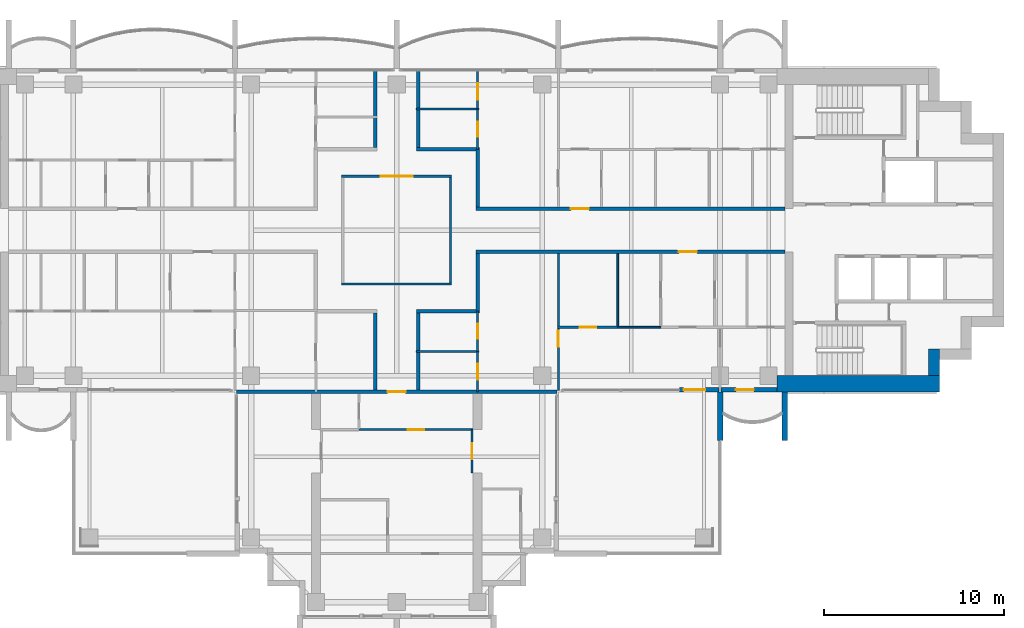
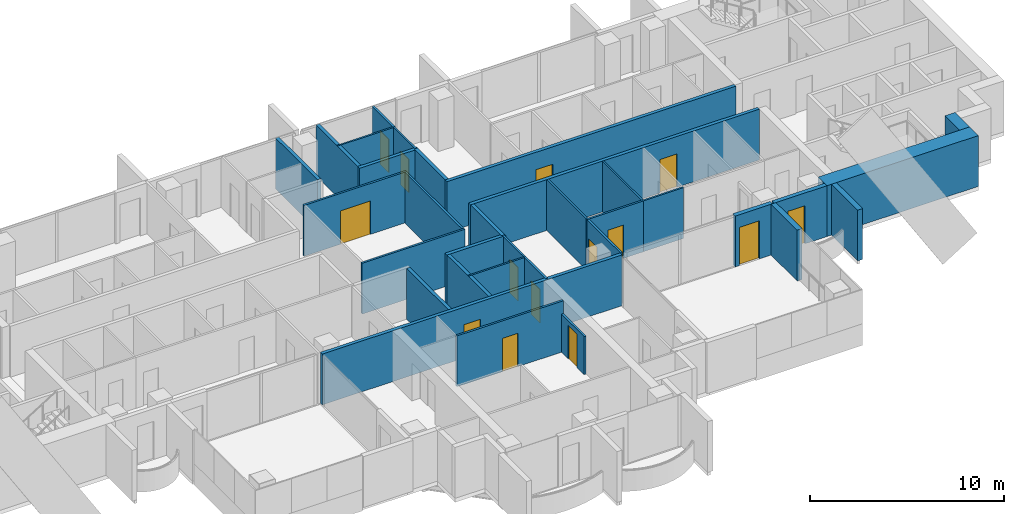
# One storey, part 11 of 18: 32 walls, 14 doors, 14 openings.
"""IFC4 building model written with IfcOpenShell, lengths in metres."""

from ifc_helpers import new_model, si_unit, direction, frame, frame_2d, origin, place, context, subcontext, project, spatial, rectangle, extrude, material, layer, layer_set, type_object, element, fill, save


model = new_model("IFC4")

# Units and contexts
model_context = context("Model", 3, precision=1e-05, world=origin(), true_north=direction((0.0, 1.0)))
body_context = subcontext(model_context, "Body", "Model", "MODEL_VIEW")
ifc_project = project(units=[si_unit("LENGTHUNIT", "METRE"), si_unit("AREAUNIT", "SQUARE_METRE"), si_unit("VOLUMEUNIT", "CUBIC_METRE"), si_unit("PLANEANGLEUNIT", "RADIAN"), si_unit("MASSUNIT", "GRAM", prefix="KILO")], contexts=[model_context])

# Site, building, storey
site_placement = place(None, origin())
site = spatial("IfcSite", under=ifc_project, at=site_placement, CompositionType="ELEMENT")
building_placement = place(site_placement, origin())
building = spatial("IfcBuilding", under=site, at=building_placement, Name="Perihelion Cross Residences", CompositionType="ELEMENT")
storey_placement = place(building_placement, frame((0.0, 0.0, 219.10009765625)))
storey = spatial("IfcBuildingStorey", under=building, at=storey_placement, Name="L55", CompositionType="ELEMENT", Elevation=219.10009765625)

# Wall, opening, door
ifc_material_1 = material(Name="Plasterboard partition")
ifc_layer_1 = layer(ifc_material_1, 0.199951171875)
ifc_layer_set_1 = layer_set([ifc_layer_1], Name="Apartment separation wall 200")
wall_type_1 = type_object("IfcWallType", Name="Apartment separation wall 200", PredefinedType="PARTITIONING", material=ifc_layer_set_1)
wall_1_placement = place(storey_placement, frame((4.39990234375, 1.199951171875, 0.0), z_axis=(0.0, 0.0, 1.0), x_axis=(1.0, 0.0, 0.0)))
wall_1 = element("IfcWall", 1, at=wall_1_placement, inside=storey, type_object=wall_type_1, Name="Partition L55 W005", PredefinedType="PARTITIONING", context=body_context, shape_type="SweptSolid", body=[
    extrude(rectangle(XDim=17.2001953125, YDim=0.199951171875, at=frame_2d((8.60009765625, 0.0))), origin(), (0.0, 0.0, 1.0), 3.199951171875),
])
opening_1_placement = place(wall_1_placement, frame((5.300048828125, 0.0, 0.0)))
opening_1 = element("IfcOpeningElement", 2, at=opening_1_placement, cuts=wall_1, Name="Opening L55.A41", PredefinedType="OPENING", context=body_context, shape_type="SweptSolid", body=[
    extrude(rectangle(XDim=1.0, YDim=2.10009765625, at=frame_2d((0.5, 1.050048828125))), frame((0.0, 0.10986328125, 0.0), z_axis=(0.0, -1.0, 0.0), x_axis=(1.0, 0.0, 0.0)), (0.0, 0.0, 1.0), 0.219970703125),
])
ifc_material_2 = material(Name="Timber door leaf", Category="wood")
door_type_1 = type_object("IfcDoorType", Name="Flat entrance door 1000 x 2100", OperationType="SINGLE_SWING_LEFT", PredefinedType="DOOR", material=ifc_material_2)
door_1_placement = place(opening_1_placement, origin())
door_1 = element("IfcDoor", 3, at=door_1_placement, inside=storey, type_object=door_type_1, Name="Door L55.A41", OperationType="SINGLE_SWING_RIGHT", OverallHeight=2.10009765625, OverallWidth=1.0, PredefinedType="DOOR", context=body_context, shape_type="SweptSolid", body=[
    extrude(rectangle(XDim=1.0, YDim=2.10009765625, at=frame_2d((0.5, 1.050048828125))), frame((0.0, 0.02490234375, 0.0), z_axis=(0.0, -1.0, 0.0), x_axis=(1.0, 0.0, 0.0)), (0.0, 0.0, 1.0), 0.050048828125),
])
fill(opening_1, door_1)

# Walls
wall_2_placement = place(storey_placement, frame((4.5, 4.5, 0.0), z_axis=(0.0, 0.0, 1.0), x_axis=(0.0, -1.0, 0.0)))
element("IfcWall", 4, at=wall_2_placement, inside=storey, type_object=wall_type_1, Name="Partition L55 W006", PredefinedType="PARTITIONING", context=body_context, shape_type="SweptSolid", body=[
    extrude(rectangle(XDim=3.199951171875, YDim=0.199951171875, at=frame_2d((1.60009765625, 0.0))), origin(), (0.0, 0.0, 1.0), 3.199951171875),
])
wall_3_placement = place(storey_placement, frame((1.199951171875, 8.919921875, 0.0), z_axis=(0.0, 0.0, 1.0), x_axis=(0.0, -1.0, 0.0)))
element("IfcWall", 5, at=wall_3_placement, inside=storey, type_object=wall_type_1, Name="Partition L55 W007", PredefinedType="PARTITIONING", context=body_context, shape_type="SweptSolid", body=[
    extrude(rectangle(XDim=4.31982421875, YDim=0.199951171875, at=frame_2d((2.159912109375, 0.0))), origin(), (0.0, 0.0, 1.0), 3.199951171875),
])
wall_4_placement = place(storey_placement, frame((1.10009765625, 4.5, 0.0), z_axis=(0.0, 0.0, 1.0), x_axis=(1.0, 0.0, 0.0)))
element("IfcWall", 6, at=wall_4_placement, inside=storey, type_object=wall_type_1, Name="Partition L55 W008", PredefinedType="PARTITIONING", context=body_context, shape_type="SweptSolid", body=[
    extrude(rectangle(XDim=3.5, YDim=0.199951171875, at=frame_2d((1.75, 0.0))), origin(), (0.0, 0.0, 1.0), 3.199951171875),
])

# Wall, opening, door
wall_5_placement = place(storey_placement, frame((21.60009765625, -1.199951171875, 0.0), z_axis=(0.0, 0.0, 1.0), x_axis=(-1.0, 0.0, 0.0)))
wall_5 = element("IfcWall", 7, at=wall_5_placement, inside=storey, type_object=wall_type_1, Name="Partition L55 W009", PredefinedType="PARTITIONING", context=body_context, shape_type="SweptSolid", body=[
    extrude(rectangle(XDim=17.2001953125, YDim=0.199951171875, at=frame_2d((8.60009765625, 0.0))), origin(), (0.0, 0.0, 1.0), 3.199951171875),
])
opening_2_placement = place(wall_5_placement, frame((4.89990234375, 0.0, 0.0)))
opening_2 = element("IfcOpeningElement", 8, at=opening_2_placement, cuts=wall_5, Name="Opening L55.A42", PredefinedType="OPENING", context=body_context, shape_type="SweptSolid", body=[
    extrude(rectangle(XDim=1.0, YDim=2.10009765625, at=frame_2d((0.5, 1.050048828125))), frame((0.0, 0.10986328125, 0.0), z_axis=(0.0, -1.0, 0.0), x_axis=(1.0, 0.0, 0.0)), (0.0, 0.0, 1.0), 0.219970703125),
])
door_2_placement = place(opening_2_placement, origin())
door_2 = element("IfcDoor", 9, at=door_2_placement, inside=storey, type_object=door_type_1, Name="Door L55.A42", OperationType="SINGLE_SWING_RIGHT", OverallHeight=2.10009765625, OverallWidth=1.0, PredefinedType="DOOR", context=body_context, shape_type="SweptSolid", body=[
    extrude(rectangle(XDim=1.0, YDim=2.10009765625, at=frame_2d((0.5, 1.050048828125))), frame((0.0, 0.02490234375, 0.0), z_axis=(0.0, -1.0, 0.0), x_axis=(1.0, 0.0, 0.0)), (0.0, 0.0, 1.0), 0.050048828125),
])
fill(opening_2, door_2)

# Walls
wall_6_placement = place(storey_placement, frame((4.5, -1.300048828125, 0.0), z_axis=(0.0, 0.0, 1.0), x_axis=(0.0, -1.0, 0.0)))
element("IfcWall", 10, at=wall_6_placement, inside=storey, type_object=wall_type_1, Name="Partition L55 W010", PredefinedType="PARTITIONING", context=body_context, shape_type="SweptSolid", body=[
    extrude(rectangle(XDim=3.199951171875, YDim=0.199951171875, at=frame_2d((1.60009765625, 0.0))), origin(), (0.0, 0.0, 1.0), 3.199951171875),
])
wall_7_placement = place(storey_placement, frame((4.60009765625, -4.5, 0.0), z_axis=(0.0, 0.0, 1.0), x_axis=(-1.0, 0.0, 0.0)))
element("IfcWall", 11, at=wall_7_placement, inside=storey, type_object=wall_type_1, Name="Partition L55 W011", PredefinedType="PARTITIONING", context=body_context, shape_type="SweptSolid", body=[
    extrude(rectangle(XDim=3.5, YDim=0.199951171875, at=frame_2d((1.75, 0.0))), origin(), (0.0, 0.0, 1.0), 3.199951171875),
])
wall_8_placement = place(storey_placement, frame((1.199951171875, -4.60009765625, 0.0), z_axis=(0.0, 0.0, 1.0), x_axis=(0.0, -1.0, 0.0)))
element("IfcWall", 12, at=wall_8_placement, inside=storey, type_object=wall_type_1, Name="Partition L55 W012", PredefinedType="PARTITIONING", context=body_context, shape_type="SweptSolid", body=[
    extrude(rectangle(XDim=4.2998046875, YDim=0.199951171875, at=frame_2d((2.14990234375, 0.0))), origin(), (0.0, 0.0, 1.0), 3.199951171875),
])
wall_9_placement = place(storey_placement, frame((-1.199951171875, 4.60009765625, 0.0), z_axis=(0.0, 0.0, 1.0), x_axis=(0.0, 1.0, 0.0)))
element("IfcWall", 13, at=wall_9_placement, inside=storey, type_object=wall_type_1, Name="Partition L55 W016", PredefinedType="PARTITIONING", context=body_context, shape_type="SweptSolid", body=[
    extrude(rectangle(XDim=4.31982421875, YDim=0.199951171875, at=frame_2d((2.159912109375, 0.0))), origin(), (0.0, 0.0, 1.0), 3.199951171875),
])
wall_10_placement = place(storey_placement, frame((-1.199951171875, -8.89990234375, 0.0), z_axis=(0.0, 0.0, 1.0), x_axis=(0.0, 1.0, 0.0)))
element("IfcWall", 14, at=wall_10_placement, inside=storey, type_object=wall_type_1, Name="Partition L55 W019", PredefinedType="PARTITIONING", context=body_context, shape_type="SweptSolid", body=[
    extrude(rectangle(XDim=4.2998046875, YDim=0.199951171875, at=frame_2d((2.14990234375, 0.0))), origin(), (0.0, 0.0, 1.0), 3.199951171875),
])

# Wall, opening, door
wall_11_placement = place(storey_placement, frame((8.919921875, -9.0, 0.0), z_axis=(0.0, 0.0, 1.0), x_axis=(-1.0, 0.0, 0.0)))
wall_11 = element("IfcWall", 15, at=wall_11_placement, inside=storey, type_object=wall_type_1, Name="Partition L55 W021", PredefinedType="PARTITIONING", context=body_context, shape_type="SweptSolid", body=[
    extrude(rectangle(XDim=17.83984375, YDim=0.199951171875, at=frame_2d((8.919921875, 0.0))), origin(), (0.0, 0.0, 1.0), 3.199951171875),
])
opening_3_placement = place(wall_11_placement, frame((8.419921875, 0.0, 0.0)))
opening_3 = element("IfcOpeningElement", 16, at=opening_3_placement, cuts=wall_11, Name="Opening L55.A35", PredefinedType="OPENING", context=body_context, shape_type="SweptSolid", body=[
    extrude(rectangle(XDim=1.0, YDim=2.10009765625, at=frame_2d((0.5, 1.050048828125))), frame((0.0, 0.10986328125, 0.0), z_axis=(0.0, -1.0, 0.0), x_axis=(1.0, 0.0, 0.0)), (0.0, 0.0, 1.0), 0.219970703125),
])
door_3_placement = place(opening_3_placement, origin())
door_3 = element("IfcDoor", 17, at=door_3_placement, inside=storey, type_object=door_type_1, Name="Door L55.A35", OperationType="SINGLE_SWING_LEFT", OverallHeight=2.10009765625, OverallWidth=1.0, PredefinedType="DOOR", context=body_context, shape_type="SweptSolid", body=[
    extrude(rectangle(XDim=1.0, YDim=2.10009765625, at=frame_2d((0.5, 1.050048828125))), frame((0.0, 0.02490234375, 0.0), z_axis=(0.0, -1.0, 0.0), x_axis=(1.0, 0.0, 0.0)), (0.0, 0.0, 1.0), 0.050048828125),
])
fill(opening_3, door_3)

ifc_material_3 = material(Name="Concrete C30/37, bronze-clad", Category="concrete")
ifc_layer_2 = layer(ifc_material_3, 0.25)
ifc_layer_set_2 = layer_set([ifc_layer_2], Name="Bronze-clad pier wall 250")
wall_type_2 = type_object("IfcWallType", Name="Bronze-clad pier wall 250", PredefinedType="SOLIDWALL", material=ifc_layer_set_2)
wall_12_placement = place(storey_placement, frame((15.72509765625, -8.875, 0.0), z_axis=(0.0, 0.0, 1.0), x_axis=(1.0, 0.0, 0.0)))
wall_12 = element("IfcWall", 18, at=wall_12_placement, inside=storey, type_object=wall_type_2, Name="Wall FW1 L55 east side south bay 1 pier", PredefinedType="SOLIDWALL", context=body_context, shape_type="SweptSolid", body=[
    extrude(rectangle(XDim=2.21484375, YDim=0.25, at=frame_2d((1.107421875, 0.0))), origin(), (0.0, 0.0, 1.0), 3.199951171875),
])
opening_4_placement = place(wall_12_placement, frame((0.25, 0.0, 0.0)))
opening_4 = element("IfcOpeningElement", 19, at=opening_4_placement, cuts=wall_12, Name="Opening L55.E13", PredefinedType="OPENING", context=body_context, shape_type="SweptSolid", body=[
    extrude(rectangle(XDim=1.199951171875, YDim=2.39990234375, at=frame_2d((0.60009765625, 1.199951171875))), frame((0.0, 0.135009765625, 0.0), z_axis=(0.0, -1.0, 0.0), x_axis=(1.0, 0.0, 0.0)), (0.0, 0.0, 1.0), 0.27001953125),
])
ifc_material_4 = material(Name="Bronze anodised aluminium, glazed", Category="aluminium")
door_type_2 = type_object("IfcDoorType", Name="Balcony door 1200 x 2400", OperationType="NOTDEFINED", PredefinedType="DOOR", material=ifc_material_4)
door_4_placement = place(opening_4_placement, origin())
door_4 = element("IfcDoor", 20, at=door_4_placement, inside=storey, type_object=door_type_2, Name="Door L55.E13 east side south bay 1", OperationType="SINGLE_SWING_LEFT", OverallHeight=2.39990234375, OverallWidth=1.199951171875, PredefinedType="DOOR", context=body_context, shape_type="SweptSolid", body=[
    extrude(rectangle(XDim=1.199951171875, YDim=2.39990234375, at=frame_2d((0.60009765625, 1.199951171875))), frame((0.0, 0.02490234375, 0.0), z_axis=(0.0, -1.0, 0.0), x_axis=(1.0, 0.0, 0.0)), (0.0, 0.0, 1.0), 0.050048828125),
])
fill(opening_4, door_4)

wall_13_placement = place(storey_placement, frame((18.06005859375, -8.875, 0.0), z_axis=(0.0, 0.0, 1.0), x_axis=(1.0, 0.0, 0.0)))
wall_13 = element("IfcWall", 21, at=wall_13_placement, inside=storey, type_object=wall_type_2, Name="Wall FW1 L55 east side south bay 2 pier", PredefinedType="SOLIDWALL", context=body_context, shape_type="SweptSolid", body=[
    extrude(rectangle(XDim=3.114990234375, YDim=0.25, at=frame_2d((1.5576171875, 0.0))), origin(), (0.0, 0.0, 1.0), 3.199951171875),
])
opening_5_placement = place(wall_13_placement, frame((0.81494140625, 0.0, 0.0)))
opening_5 = element("IfcOpeningElement", 22, at=opening_5_placement, cuts=wall_13, Name="Opening L55.E14", PredefinedType="OPENING", context=body_context, shape_type="SweptSolid", body=[
    extrude(rectangle(XDim=1.0, YDim=2.39990234375, at=frame_2d((0.5, 1.199951171875))), frame((0.0, 0.135009765625, 0.0), z_axis=(0.0, -1.0, 0.0), x_axis=(1.0, 0.0, 0.0)), (0.0, 0.0, 1.0), 0.27001953125),
])
ifc_material_5 = material(Name="Bronze anodised aluminium, glazed", Category="aluminium")
door_type_3 = type_object("IfcDoorType", Name="Balcony door 1000 x 2400", OperationType="NOTDEFINED", PredefinedType="DOOR", material=ifc_material_5)
door_5_placement = place(opening_5_placement, origin())
door_5 = element("IfcDoor", 23, at=door_5_placement, inside=storey, type_object=door_type_3, Name="Door L55.E14 east side south bay 2", OperationType="SINGLE_SWING_RIGHT", OverallHeight=2.39990234375, OverallWidth=1.0, PredefinedType="DOOR", context=body_context, shape_type="SweptSolid", body=[
    extrude(rectangle(XDim=1.0, YDim=2.39990234375, at=frame_2d((0.5, 1.199951171875))), frame((0.0, 0.02490234375, 0.0), z_axis=(0.0, -1.0, 0.0), x_axis=(1.0, 0.0, 0.0)), (0.0, 0.0, 1.0), 0.050048828125),
])
fill(opening_5, door_5)

# Walls
ifc_material_6 = material(Name="Concrete C60/75", Category="concrete")
ifc_layer_3 = layer(ifc_material_6, 0.60009765625)
ifc_layer_set_3 = layer_set([ifc_layer_3], Name="Core wall, outer 600")
wall_type_3 = type_object("IfcWallType", Name="Core wall, outer 600", PredefinedType="SHEAR", material=ifc_layer_set_3)
wall_14_placement = place(storey_placement, frame((29.89990234375, -8.10009765625, 0.0), z_axis=(0.0, 0.0, 1.0), x_axis=(0.0, 1.0, 0.0)))
element("IfcWall", 24, at=wall_14_placement, inside=storey, type_object=wall_type_3, Name="East core core wall, outer", PredefinedType="SHEAR", context=body_context, shape_type="SweptSolid", body=[
    extrude(rectangle(XDim=1.5, YDim=0.60009765625, at=frame_2d((0.75, 0.0))), origin(), (0.0, 0.0, 1.0), 3.199951171875),
])
ifc_material_7 = material(Name="Concrete C60/75", Category="concrete")
ifc_layer_4 = layer(ifc_material_7, 0.89990234375)
ifc_layer_set_4 = layer_set([ifc_layer_4], Name="Core wall, outer 900")
wall_type_4 = type_object("IfcWallType", Name="Core wall, outer 900", PredefinedType="SHEAR", material=ifc_layer_set_4)
wall_15_placement = place(storey_placement, frame((21.175048828125, -8.550048828125, 0.0), z_axis=(0.0, 0.0, 1.0), x_axis=(1.0, 0.0, 0.0)))
element("IfcWall", 25, at=wall_15_placement, inside=storey, type_object=wall_type_4, Name="East core core wall, outer", PredefinedType="SHEAR", context=body_context, shape_type="SweptSolid", body=[
    extrude(rectangle(XDim=9.02490234375, YDim=0.89990234375, at=frame_2d((4.512451171875, 0.0))), origin(), (0.0, 0.0, 1.0), 3.199951171875),
])

# Wall, opening, door
ifc_material_8 = material(Name="Plasterboard partition")
ifc_layer_5 = layer(ifc_material_8, 0.1201171875)
ifc_layer_set_5 = layer_set([ifc_layer_5], Name="Infill panel 120")
wall_type_5 = type_object("IfcWallType", Name="Infill panel 120", PredefinedType="PARTITIONING", material=ifc_layer_set_5)
wall_16_placement = place(storey_placement, frame((4.18994140625, -11.10009765625, 0.0), z_axis=(0.0, 0.0, 1.0), x_axis=(0.0, -1.0, 0.0)))
wall_16 = element("IfcWall", 26, at=wall_16_placement, inside=storey, type_object=wall_type_5, Name="Partition L55 WI01", PredefinedType="PARTITIONING", context=body_context, shape_type="SweptSolid", body=[
    extrude(rectangle(XDim=2.39990234375, YDim=0.1201171875, at=frame_2d((1.199951171875, 0.0))), origin(), (0.0, 0.0, 1.0), 2.39990234375),
])
opening_6_placement = place(wall_16_placement, frame((0.75, 0.0, 0.0)))
opening_6 = element("IfcOpeningElement", 27, at=opening_6_placement, cuts=wall_16, Name="Opening L55.A45", PredefinedType="OPENING", context=body_context, shape_type="SweptSolid", body=[
    extrude(rectangle(XDim=0.89990234375, YDim=2.10009765625, at=frame_2d((0.449951171875, 1.050048828125))), frame((0.0, 0.070068359375, 0.0), z_axis=(0.0, -1.0, 0.0), x_axis=(1.0, 0.0, 0.0)), (0.0, 0.0, 1.0), 0.14013671875),
])
ifc_material_9 = material(Name="Timber door leaf", Category="wood")
door_type_4 = type_object("IfcDoorType", Name="Interior room door 900 x 2100", OperationType="SINGLE_SWING_LEFT", PredefinedType="DOOR", material=ifc_material_9)
door_6_placement = place(opening_6_placement, origin())
door_6 = element("IfcDoor", 28, at=door_6_placement, inside=storey, type_object=door_type_4, Name="Door L55.A45", OperationType="SINGLE_SWING_RIGHT", OverallHeight=2.10009765625, OverallWidth=0.89990234375, PredefinedType="DOOR", context=body_context, shape_type="SweptSolid", body=[
    extrude(rectangle(XDim=0.89990234375, YDim=2.10009765625, at=frame_2d((0.449951171875, 1.050048828125))), frame((0.0, 0.02490234375, 0.0), z_axis=(0.0, -1.0, 0.0), x_axis=(1.0, 0.0, 0.0)), (0.0, 0.0, 1.0), 0.050048828125),
])
fill(opening_6, door_6)

# Walls
ifc_material_10 = material(Name="Plasterboard partition")
ifc_layer_6 = layer(ifc_material_10, 0.1201171875)
ifc_layer_set_6 = layer_set([ifc_layer_6], Name="Partition wall 120")
wall_type_6 = type_object("IfcWallType", Name="Partition wall 120", PredefinedType="PARTITIONING", material=ifc_layer_set_6)
wall_17_placement = place(storey_placement, frame((-3.06005859375, -3.0, 0.0), z_axis=(0.0, 0.0, 1.0), x_axis=(1.0, 0.0, 0.0)))
element("IfcWall", 29, at=wall_17_placement, inside=storey, type_object=wall_type_6, Name="Partition L55 W001", PredefinedType="PARTITIONING", context=body_context, shape_type="SweptSolid", body=[
    extrude(rectangle(XDim=6.1201171875, YDim=0.1201171875, at=frame_2d((3.06005859375, 0.0))), origin(), (0.0, 0.0, 1.0), 3.199951171875),
])
wall_18_placement = place(storey_placement, frame((3.0, -2.93994140625, 0.0), z_axis=(0.0, 0.0, 1.0), x_axis=(0.0, 1.0, 0.0)))
element("IfcWall", 30, at=wall_18_placement, inside=storey, type_object=wall_type_6, Name="Partition L55 W002", PredefinedType="PARTITIONING", context=body_context, shape_type="SweptSolid", body=[
    extrude(rectangle(XDim=5.8798828125, YDim=0.1201171875, at=frame_2d((2.93994140625, 0.0))), origin(), (0.0, 0.0, 1.0), 3.199951171875),
])

# Wall, opening, door
wall_19_placement = place(storey_placement, frame((3.06005859375, 3.0, 0.0), z_axis=(0.0, 0.0, 1.0), x_axis=(-1.0, 0.0, 0.0)))
wall_19 = element("IfcWall", 31, at=wall_19_placement, inside=storey, type_object=wall_type_6, Name="Partition L55 W003", PredefinedType="PARTITIONING", context=body_context, shape_type="SweptSolid", body=[
    extrude(rectangle(XDim=6.1201171875, YDim=0.1201171875, at=frame_2d((3.06005859375, 0.0))), origin(), (0.0, 0.0, 1.0), 3.199951171875),
])
opening_7_placement = place(wall_19_placement, frame((2.159912109375, 0.0, 0.0)))
opening_7 = element("IfcOpeningElement", 32, at=opening_7_placement, cuts=wall_19, Name="Opening L55.A01", PredefinedType="OPENING", context=body_context, shape_type="SweptSolid", body=[
    extrude(rectangle(XDim=1.800048828125, YDim=2.10009765625, at=frame_2d((0.89990234375, 1.050048828125))), frame((0.0, 0.070068359375, 0.0), z_axis=(0.0, -1.0, 0.0), x_axis=(1.0, 0.0, 0.0)), (0.0, 0.0, 1.0), 0.14013671875),
])
ifc_material_11 = material(Name="Glazed timber door leaf", Category="wood")
door_type_5 = type_object("IfcDoorType", Name="Interior double leaf door 1800 x 2100", OperationType="DOUBLE_DOOR_SINGLE_SWING", PredefinedType="DOOR", material=ifc_material_11)
door_7_placement = place(opening_7_placement, origin())
door_7 = element("IfcDoor", 33, at=door_7_placement, inside=storey, type_object=door_type_5, Name="Door L55.A01", OperationType="SINGLE_SWING_LEFT", OverallHeight=2.10009765625, OverallWidth=1.800048828125, PredefinedType="DOOR", context=body_context, shape_type="SweptSolid", body=[
    extrude(rectangle(XDim=1.800048828125, YDim=2.10009765625, at=frame_2d((0.89990234375, 1.050048828125))), frame((0.0, 0.02490234375, 0.0), z_axis=(0.0, -1.0, 0.0), x_axis=(1.0, 0.0, 0.0)), (0.0, 0.0, 1.0), 0.050048828125),
])
fill(opening_7, door_7)

wall_20_placement = place(storey_placement, frame((4.5, 6.75, 0.0), z_axis=(0.0, 0.0, 1.0), x_axis=(0.0, 1.0, 0.0)))
wall_20 = element("IfcWall", 34, at=wall_20_placement, inside=storey, type_object=wall_type_6, Name="Partition L55 W032", PredefinedType="PARTITIONING", context=body_context, shape_type="SweptSolid", body=[
    extrude(rectangle(XDim=2.169921875, YDim=0.1201171875, at=frame_2d((1.0849609375, 0.0))), origin(), (0.0, 0.0, 1.0), 3.199951171875),
])
opening_8_placement = place(wall_20_placement, frame((0.52490234375, 0.0, 0.0)))
opening_8 = element("IfcOpeningElement", 35, at=opening_8_placement, cuts=wall_20, Name="Opening L55.A04", PredefinedType="OPENING", context=body_context, shape_type="SweptSolid", body=[
    extrude(rectangle(XDim=0.89990234375, YDim=2.10009765625, at=frame_2d((0.449951171875, 1.050048828125))), frame((0.0, 0.070068359375, 0.0), z_axis=(0.0, -1.0, 0.0), x_axis=(1.0, 0.0, 0.0)), (0.0, 0.0, 1.0), 0.14013671875),
])
door_8_placement = place(opening_8_placement, origin())
door_8 = element("IfcDoor", 36, at=door_8_placement, inside=storey, type_object=door_type_4, Name="Door L55.A04", OperationType="SINGLE_SWING_RIGHT", OverallHeight=2.10009765625, OverallWidth=0.89990234375, PredefinedType="DOOR", context=body_context, shape_type="SweptSolid", body=[
    extrude(rectangle(XDim=0.89990234375, YDim=2.10009765625, at=frame_2d((0.449951171875, 1.050048828125))), frame((0.0, 0.02490234375, 0.0), z_axis=(0.0, -1.0, 0.0), x_axis=(1.0, 0.0, 0.0)), (0.0, 0.0, 1.0), 0.050048828125),
])
fill(opening_8, door_8)

wall_21_placement = place(storey_placement, frame((12.300048828125, -5.39990234375, 0.0), z_axis=(0.0, 0.0, 1.0), x_axis=(-1.0, 0.0, 0.0)))
wall_21 = element("IfcWall", 37, at=wall_21_placement, inside=storey, type_object=wall_type_6, Name="Partition L55 W035", PredefinedType="PARTITIONING", context=body_context, shape_type="SweptSolid", body=[
    extrude(rectangle(XDim=3.360107421875, YDim=0.1201171875, at=frame_2d((1.68017578125, 0.0))), origin(), (0.0, 0.0, 1.0), 3.199951171875),
])
opening_9_placement = place(wall_21_placement, frame((1.199951171875, 0.0, 0.0)))
opening_9 = element("IfcOpeningElement", 38, at=opening_9_placement, cuts=wall_21, Name="Opening L55.A12", PredefinedType="OPENING", context=body_context, shape_type="SweptSolid", body=[
    extrude(rectangle(XDim=0.89990234375, YDim=2.10009765625, at=frame_2d((0.449951171875, 1.050048828125))), frame((0.0, 0.070068359375, 0.0), z_axis=(0.0, -1.0, 0.0), x_axis=(1.0, 0.0, 0.0)), (0.0, 0.0, 1.0), 0.14013671875),
])
door_9_placement = place(opening_9_placement, origin())
door_9 = element("IfcDoor", 39, at=door_9_placement, inside=storey, type_object=door_type_4, Name="Door L55.A12", OperationType="SINGLE_SWING_LEFT", OverallHeight=2.10009765625, OverallWidth=0.89990234375, PredefinedType="DOOR", context=body_context, shape_type="SweptSolid", body=[
    extrude(rectangle(XDim=0.89990234375, YDim=2.10009765625, at=frame_2d((0.449951171875, 1.050048828125))), frame((0.0, 0.02490234375, 0.0), z_axis=(0.0, -1.0, 0.0), x_axis=(1.0, 0.0, 0.0)), (0.0, 0.0, 1.0), 0.050048828125),
])
fill(opening_9, door_9)

wall_22_placement = place(storey_placement, frame((9.0, -8.919921875, 0.0), z_axis=(0.0, 0.0, 1.0), x_axis=(0.0, 1.0, 0.0)))
wall_22 = element("IfcWall", 40, at=wall_22_placement, inside=storey, type_object=wall_type_6, Name="Partition L55 W036", PredefinedType="PARTITIONING", context=body_context, shape_type="SweptSolid", body=[
    extrude(rectangle(XDim=7.619873046875, YDim=0.1201171875, at=frame_2d((3.81005859375, 0.0))), origin(), (0.0, 0.0, 1.0), 3.199951171875),
])
opening_10_placement = place(wall_22_placement, frame((2.419921875, 0.0, 0.0)))
opening_10 = element("IfcOpeningElement", 41, at=opening_10_placement, cuts=wall_22, Name="Opening L55.A14", PredefinedType="OPENING", context=body_context, shape_type="SweptSolid", body=[
    extrude(rectangle(XDim=0.89990234375, YDim=2.10009765625, at=frame_2d((0.449951171875, 1.050048828125))), frame((0.0, 0.070068359375, 0.0), z_axis=(0.0, -1.0, 0.0), x_axis=(1.0, 0.0, 0.0)), (0.0, 0.0, 1.0), 0.14013671875),
])
door_10_placement = place(opening_10_placement, origin())
door_10 = element("IfcDoor", 42, at=door_10_placement, inside=storey, type_object=door_type_4, Name="Door L55.A14", OperationType="SINGLE_SWING_RIGHT", OverallHeight=2.10009765625, OverallWidth=0.89990234375, PredefinedType="DOOR", context=body_context, shape_type="SweptSolid", body=[
    extrude(rectangle(XDim=0.89990234375, YDim=2.10009765625, at=frame_2d((0.449951171875, 1.050048828125))), frame((0.0, 0.02490234375, 0.0), z_axis=(0.0, -1.0, 0.0), x_axis=(1.0, 0.0, 0.0)), (0.0, 0.0, 1.0), 0.050048828125),
])
fill(opening_10, door_10)

wall_23_placement = place(storey_placement, frame((4.5, -9.0, 0.0), z_axis=(0.0, 0.0, 1.0), x_axis=(0.0, 1.0, 0.0)))
wall_23 = element("IfcWall", 43, at=wall_23_placement, inside=storey, type_object=wall_type_6, Name="Partition L55 W045", PredefinedType="PARTITIONING", context=body_context, shape_type="SweptSolid", body=[
    extrude(rectangle(XDim=2.25, YDim=0.1201171875, at=frame_2d((1.125, 0.0))), origin(), (0.0, 0.0, 1.0), 3.199951171875),
])
opening_11_placement = place(wall_23_placement, frame((0.675048828125, 0.0, 0.0)))
opening_11 = element("IfcOpeningElement", 44, at=opening_11_placement, cuts=wall_23, Name="Opening L55.A13", PredefinedType="OPENING", context=body_context, shape_type="SweptSolid", body=[
    extrude(rectangle(XDim=0.89990234375, YDim=2.10009765625, at=frame_2d((0.449951171875, 1.050048828125))), frame((0.0, 0.070068359375, 0.0), z_axis=(0.0, -1.0, 0.0), x_axis=(1.0, 0.0, 0.0)), (0.0, 0.0, 1.0), 0.14013671875),
])
door_11_placement = place(opening_11_placement, origin())
door_11 = element("IfcDoor", 45, at=door_11_placement, inside=storey, type_object=door_type_4, Name="Door L55.A13", OperationType="SINGLE_SWING_RIGHT", OverallHeight=2.10009765625, OverallWidth=0.89990234375, PredefinedType="DOOR", context=body_context, shape_type="SweptSolid", body=[
    extrude(rectangle(XDim=0.89990234375, YDim=2.10009765625, at=frame_2d((0.449951171875, 1.050048828125))), frame((0.0, 0.02490234375, 0.0), z_axis=(0.0, -1.0, 0.0), x_axis=(1.0, 0.0, 0.0)), (0.0, 0.0, 1.0), 0.050048828125),
])
fill(opening_11, door_11)

wall_24_placement = place(storey_placement, frame((4.25, -11.10009765625, 0.0), z_axis=(0.0, 0.0, 1.0), x_axis=(-1.0, 0.0, 0.0)))
wall_24 = element("IfcWall", 46, at=wall_24_placement, inside=storey, type_object=wall_type_6, Name="Partition L55 W070", PredefinedType="PARTITIONING", context=body_context, shape_type="SweptSolid", body=[
    extrude(rectangle(XDim=6.35009765625, YDim=0.1201171875, at=frame_2d((3.175048828125, 0.0))), origin(), (0.0, 0.0, 1.0), 3.199951171875),
])
opening_12_placement = place(wall_24_placement, frame((2.72509765625, 0.0, 0.0)))
opening_12 = element("IfcOpeningElement", 47, at=opening_12_placement, cuts=wall_24, Name="Opening L55.A37", PredefinedType="OPENING", context=body_context, shape_type="SweptSolid", body=[
    extrude(rectangle(XDim=0.89990234375, YDim=2.10009765625, at=frame_2d((0.449951171875, 1.050048828125))), frame((0.0, 0.070068359375, 0.0), z_axis=(0.0, -1.0, 0.0), x_axis=(1.0, 0.0, 0.0)), (0.0, 0.0, 1.0), 0.14013671875),
])
door_12_placement = place(opening_12_placement, origin())
door_12 = element("IfcDoor", 48, at=door_12_placement, inside=storey, type_object=door_type_4, Name="Door L55.A37", OperationType="SINGLE_SWING_RIGHT", OverallHeight=2.10009765625, OverallWidth=0.89990234375, PredefinedType="DOOR", context=body_context, shape_type="SweptSolid", body=[
    extrude(rectangle(XDim=0.89990234375, YDim=2.10009765625, at=frame_2d((0.449951171875, 1.050048828125))), frame((0.0, 0.02490234375, 0.0), z_axis=(0.0, -1.0, 0.0), x_axis=(1.0, 0.0, 0.0)), (0.0, 0.0, 1.0), 0.050048828125),
])
fill(opening_12, door_12)

# Walls
ifc_material_12 = material(Name="Precast concrete C50/60", Category="concrete")
ifc_layer_7 = layer(ifc_material_12, 0.300048828125)
ifc_layer_set_7 = layer_set([ifc_layer_7], Name="Precast concrete C50/60 blade wall 300")
wall_type_7 = type_object("IfcWallType", Name="Precast concrete C50/60 blade wall 300", PredefinedType="SOLIDWALL", material=ifc_layer_set_7)
for number, where, z_axis, x_axis, name in (
    (49, (18.0, -9.0, 0.0), (0.0, 0.0, 1.0), (0.0, -1.0, 0.0), "Wall BL1 L55 no. 10"),
    (50, (21.60009765625, -9.0, 0.0), (0.0, 0.0, 1.0), (0.0, -1.0, 0.0), "Wall BL1 L55 no. 12"),
):
    element("IfcWall", number, at=place(storey_placement, frame(where, z_axis=z_axis, x_axis=x_axis)), inside=storey, type_object=wall_type_7, Name=name, PredefinedType="SOLIDWALL", context=body_context, shape_type="SweptSolid", body=[
        extrude(rectangle(XDim=2.699951171875, YDim=0.300048828125, at=frame_2d((1.35009765625, 0.0))), origin(), (0.0, 0.0, 1.0), 3.199951171875),
    ])

# Wall, opening, door
ifc_material_13 = material(Name="Plasterboard partition")
ifc_layer_8 = layer(ifc_material_13, 0.10009765625)
ifc_layer_set_8 = layer_set([ifc_layer_8], Name="Wet room wall 100")
wall_type_8 = type_object("IfcWallType", Name="Wet room wall 100", PredefinedType="PARTITIONING", material=ifc_layer_set_8)
wall_25_placement = place(storey_placement, frame((4.5, 4.5, 0.0), z_axis=(0.0, 0.0, 1.0), x_axis=(0.0, 1.0, 0.0)))
wall_25 = element("IfcWall", 51, at=wall_25_placement, inside=storey, type_object=wall_type_8, Name="Partition L55 W031", PredefinedType="PARTITIONING", context=body_context, shape_type="SweptSolid", body=[
    extrude(rectangle(XDim=2.25, YDim=0.10009765625, at=frame_2d((1.125, 0.0))), origin(), (0.0, 0.0, 1.0), 3.199951171875),
])
opening_13_placement = place(wall_25_placement, frame((0.699951171875, 0.0, 0.0)))
opening_13 = element("IfcOpeningElement", 52, at=opening_13_placement, cuts=wall_25, Name="Opening L55.A06", PredefinedType="OPENING", context=body_context, shape_type="SweptSolid", body=[
    extrude(rectangle(XDim=0.85009765625, YDim=2.10009765625, at=frame_2d((0.425048828125, 1.050048828125))), frame((0.0, 0.06005859375, 0.0), z_axis=(0.0, -1.0, 0.0), x_axis=(1.0, 0.0, 0.0)), (0.0, 0.0, 1.0), 0.1201171875),
])
ifc_material_14 = material(Name="Timber door leaf", Category="wood")
door_type_6 = type_object("IfcDoorType", Name="Interior bathroom door 850 x 2100", OperationType="SINGLE_SWING_LEFT", PredefinedType="DOOR", material=ifc_material_14)
door_13_placement = place(opening_13_placement, origin())
door_13 = element("IfcDoor", 53, at=door_13_placement, inside=storey, type_object=door_type_6, Name="Door L55.A06", OperationType="SINGLE_SWING_RIGHT", OverallHeight=2.10009765625, OverallWidth=0.85009765625, PredefinedType="DOOR", context=body_context, shape_type="SweptSolid", body=[
    extrude(rectangle(XDim=0.85009765625, YDim=2.10009765625, at=frame_2d((0.425048828125, 1.050048828125))), frame((0.0, 0.02490234375, 0.0), z_axis=(0.0, -1.0, 0.0), x_axis=(1.0, 0.0, 0.0)), (0.0, 0.0, 1.0), 0.050048828125),
])
fill(opening_13, door_13)

# Walls
wall_26_placement = place(storey_placement, frame((1.10009765625, 6.75, 0.0), z_axis=(0.0, 0.0, 1.0), x_axis=(1.0, 0.0, 0.0)))
element("IfcWall", 54, at=wall_26_placement, inside=storey, type_object=wall_type_8, Name="Partition L55 W033", PredefinedType="PARTITIONING", context=body_context, shape_type="SweptSolid", body=[
    extrude(rectangle(XDim=3.4599609375, YDim=0.10009765625, at=frame_2d((1.72998046875, 0.0))), origin(), (0.0, 0.0, 1.0), 3.199951171875),
])
wall_27_placement = place(storey_placement, frame((12.300048828125, -1.300048828125, 0.0), z_axis=(0.0, 0.0, 1.0), x_axis=(0.0, -1.0, 0.0)))
element("IfcWall", 55, at=wall_27_placement, inside=storey, type_object=wall_type_8, Name="Partition L55 W034", PredefinedType="PARTITIONING", context=body_context, shape_type="SweptSolid", body=[
    extrude(rectangle(XDim=4.0400390625, YDim=0.10009765625, at=frame_2d((2.02001953125, 0.0))), origin(), (0.0, 0.0, 1.0), 3.199951171875),
])
wall_28_placement = place(storey_placement, frame((14.699951171875, -5.39990234375, 0.0), z_axis=(0.0, 0.0, 1.0), x_axis=(-1.0, 0.0, 0.0)))
element("IfcWall", 56, at=wall_28_placement, inside=storey, type_object=wall_type_8, Name="Partition L55 W038", PredefinedType="PARTITIONING", context=body_context, shape_type="SweptSolid", body=[
    extrude(rectangle(XDim=2.39990234375, YDim=0.10009765625, at=frame_2d((1.199951171875, 0.0))), origin(), (0.0, 0.0, 1.0), 3.199951171875),
])

# Wall, opening, door
wall_29_placement = place(storey_placement, frame((4.5, -6.75, 0.0), z_axis=(0.0, 0.0, 1.0), x_axis=(0.0, 1.0, 0.0)))
wall_29 = element("IfcWall", 57, at=wall_29_placement, inside=storey, type_object=wall_type_8, Name="Partition L55 W044", PredefinedType="PARTITIONING", context=body_context, shape_type="SweptSolid", body=[
    extrude(rectangle(XDim=2.25, YDim=0.10009765625, at=frame_2d((1.125, 0.0))), origin(), (0.0, 0.0, 1.0), 3.199951171875),
])
opening_14_placement = place(wall_29_placement, frame((0.699951171875, 0.0, 0.0)))
opening_14 = element("IfcOpeningElement", 58, at=opening_14_placement, cuts=wall_29, Name="Opening L55.A17", PredefinedType="OPENING", context=body_context, shape_type="SweptSolid", body=[
    extrude(rectangle(XDim=0.85009765625, YDim=2.10009765625, at=frame_2d((0.425048828125, 1.050048828125))), frame((0.0, 0.06005859375, 0.0), z_axis=(0.0, -1.0, 0.0), x_axis=(1.0, 0.0, 0.0)), (0.0, 0.0, 1.0), 0.1201171875),
])
door_14_placement = place(opening_14_placement, origin())
door_14 = element("IfcDoor", 59, at=door_14_placement, inside=storey, type_object=door_type_6, Name="Door L55.A17", OperationType="SINGLE_SWING_LEFT", OverallHeight=2.10009765625, OverallWidth=0.85009765625, PredefinedType="DOOR", context=body_context, shape_type="SweptSolid", body=[
    extrude(rectangle(XDim=0.85009765625, YDim=2.10009765625, at=frame_2d((0.425048828125, 1.050048828125))), frame((0.0, 0.02490234375, 0.0), z_axis=(0.0, -1.0, 0.0), x_axis=(1.0, 0.0, 0.0)), (0.0, 0.0, 1.0), 0.050048828125),
])
fill(opening_14, door_14)

# Wall
wall_30_placement = place(storey_placement, frame((4.56005859375, -6.75, 0.0), z_axis=(0.0, 0.0, 1.0), x_axis=(-1.0, 0.0, 0.0)))
element("IfcWall", 60, at=wall_30_placement, inside=storey, type_object=wall_type_8, Name="Partition L55 W046", PredefinedType="PARTITIONING", context=body_context, shape_type="SweptSolid", body=[
    extrude(rectangle(XDim=3.4599609375, YDim=0.10009765625, at=frame_2d((1.72998046875, 0.0))), origin(), (0.0, 0.0, 1.0), 3.199951171875),
])

save(model, "model.ifc")
